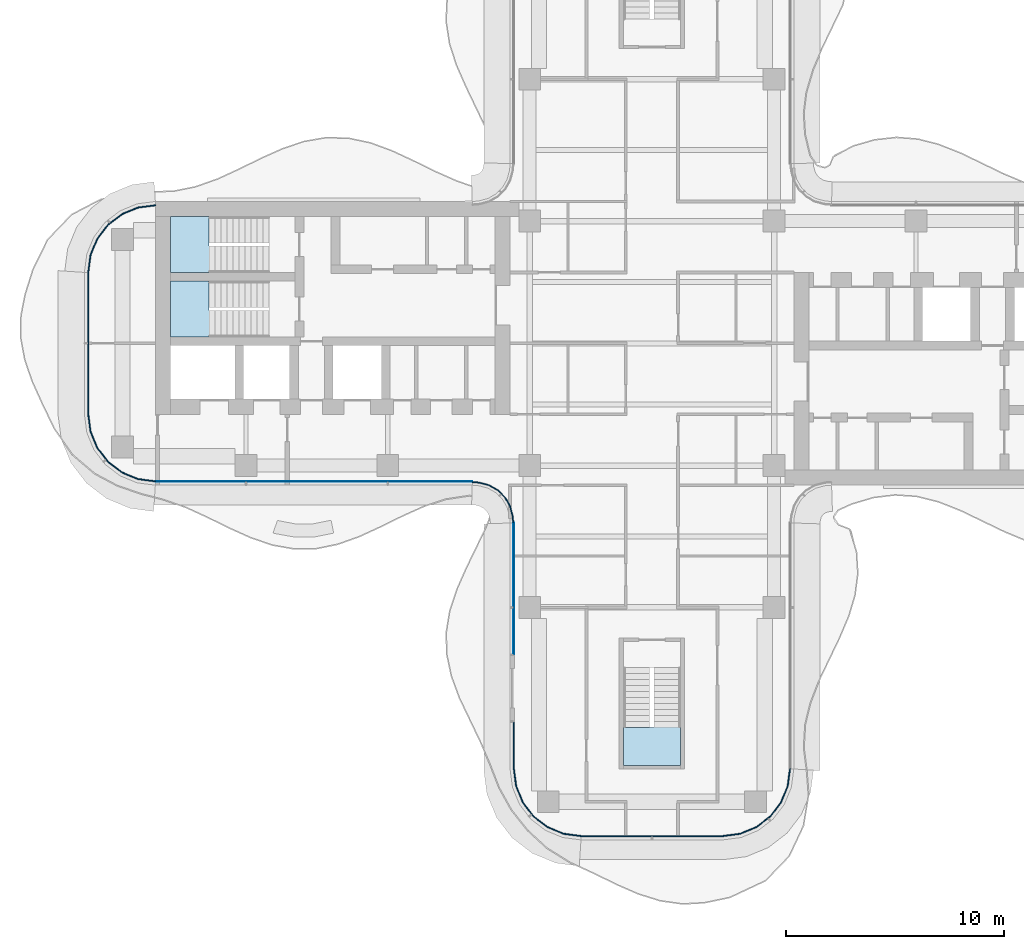
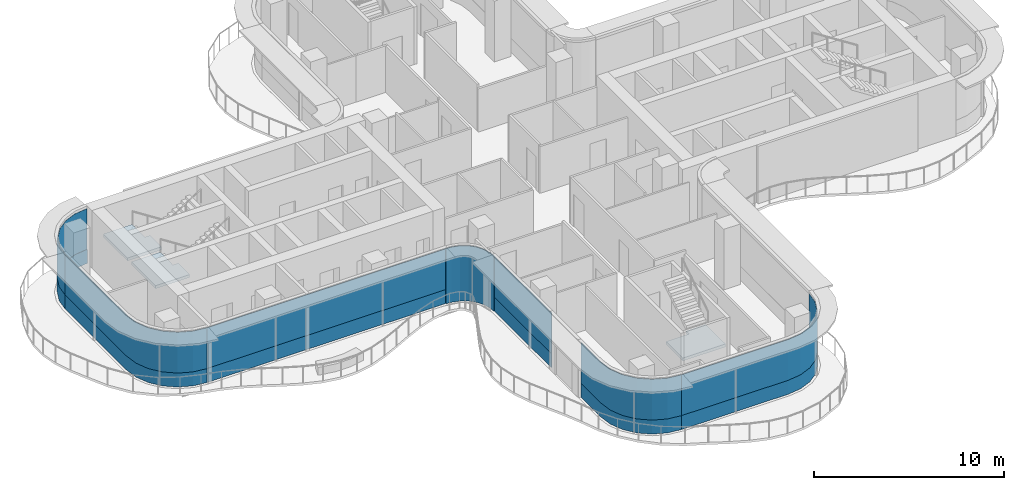
# One storey, part 8 of 16: 13 plates, 3 slabs, 10 elements without a shape of their own.
"""IFC4 building model written with IfcOpenShell, lengths in metres."""

from ifc_helpers import new_model, si_unit, direction, frame, origin, place, context, subcontext, project, spatial, polyline, outline, extrude, source, transform, mapped, material, layer, layer_set, type_object, element, aggregate, save


model = new_model("IFC4")

# Units and contexts
model_context = context("Model", 3, precision=1e-05, world=origin(), true_north=direction((0.0, 1.0)))
body_context = subcontext(model_context, "Body", "Model", "MODEL_VIEW")
ifc_project = project(units=[si_unit("LENGTHUNIT", "METRE"), si_unit("AREAUNIT", "SQUARE_METRE"), si_unit("VOLUMEUNIT", "CUBIC_METRE"), si_unit("PLANEANGLEUNIT", "RADIAN"), si_unit("MASSUNIT", "GRAM", prefix="KILO")], contexts=[model_context])

# Site, building, storey
site_placement = place(None, origin())
site = spatial("IfcSite", under=ifc_project, at=site_placement, CompositionType="ELEMENT")
building_placement = place(site_placement, origin())
building = spatial("IfcBuilding", under=site, at=building_placement, Name="Trellis Farm Tower", CompositionType="ELEMENT")
storey_placement = place(building_placement, frame((0.0, 0.0, 310.60009765625)))
storey = spatial("IfcBuildingStorey", under=building, at=storey_placement, Name="L70", CompositionType="ELEMENT", Elevation=310.60009765625)

# Stair, slab
ifc_material_1 = material(Name="Concrete C50/60", Category="concrete")
stair_type = type_object("IfcStairType", Name="CORE EXIT STAIR 22 RISERS 177 MM", PredefinedType="HALF_TURN_STAIR", material=ifc_material_1)
placement_1 = place(storey_placement, origin())
stair_1 = element("IfcStair", 1, at=placement_1, inside=storey, type_object=stair_type, Name="Exit stair S", PredefinedType="HALF_TURN_STAIR")
ifc_layer_1 = layer(ifc_material_1, 0.18994140625)
ifc_layer_set_1 = layer_set([ifc_layer_1], Name="CORE STAIR LANDING 190 CONCRETE C50/60")
slab_type = type_object("IfcSlabType", Name="CORE STAIR LANDING 190 CONCRETE C50/60", PredefinedType="LANDING", material=ifc_layer_set_1)
shared_shape_1 = source(origin(), body_context, "Body", "SweptSolid", [
    extrude(outline(polyline([(1.300048828125, -19.35009765625), (-1.300048828125, -19.35009765625), (-1.300048828125, -17.60009765625), (-1.300048828125, -17.590087890625), (-0.10009765625, -17.590087890625), (-0.10009765625, -17.60009765625), (0.10009765625, -17.60009765625), (0.10009765625, -17.27197265625), (1.300048828125, -17.27197265625), (1.300048828125, -17.60009765625), (1.300048828125, -19.35009765625)])), origin(), (0.0, 0.0, 1.0), 0.18994140625),
])
placement_2 = place(storey_placement, frame((0.0, 0.0, 1.760009765625)))
slab_1 = element("IfcSlab", 2, at=placement_2, type_object=slab_type, Name="STS landing 1", PredefinedType="LANDING", context=body_context, shape_type="MappedRepresentation", body=[
    mapped(shared_shape_1, transform((0.0, 0.0, 0.0))),
])
aggregate(stair_1, [slab_1])

stair_2 = element("IfcStair", 3, at=placement_1, inside=storey, type_object=stair_type, Name="Exit stair W1", PredefinedType="HALF_TURN_STAIR")
shared_shape_2 = source(origin(), body_context, "Body", "SweptSolid", [
    extrude(outline(polyline([(-19.971923828125, 4.449951171875), (-19.971923828125, 3.25), (-20.300048828125, 3.25), (-22.050048828125, 3.25), (-22.050048828125, 5.800048828125), (-20.300048828125, 5.800048828125), (-20.2900390625, 5.800048828125), (-20.2900390625, 4.60009765625), (-20.300048828125, 4.60009765625), (-20.300048828125, 4.449951171875), (-19.971923828125, 4.449951171875)])), origin(), (0.0, 0.0, 1.0), 0.18994140625),
])
slab_2 = element("IfcSlab", 4, at=placement_2, type_object=slab_type, Name="STW1 landing 1", PredefinedType="LANDING", context=body_context, shape_type="MappedRepresentation", body=[
    mapped(shared_shape_2, transform((0.0, 0.0, 0.0))),
])
aggregate(stair_2, [slab_2])

stair_3 = element("IfcStair", 5, at=placement_1, inside=storey, type_object=stair_type, Name="Exit stair W2", PredefinedType="HALF_TURN_STAIR")
shared_shape_3 = source(origin(), body_context, "Body", "SweptSolid", [
    extrude(outline(polyline([(-19.971923828125, 1.5), (-19.971923828125, 0.300048828125), (-20.300048828125, 0.300048828125), (-22.050048828125, 0.300048828125), (-22.050048828125, 2.85009765625), (-20.300048828125, 2.85009765625), (-20.2900390625, 2.85009765625), (-20.2900390625, 1.64990234375), (-20.300048828125, 1.64990234375), (-20.300048828125, 1.5), (-19.971923828125, 1.5)])), origin(), (0.0, 0.0, 1.0), 0.18994140625),
])
slab_3 = element("IfcSlab", 6, at=placement_2, type_object=slab_type, Name="STW2 landing 1", PredefinedType="LANDING", context=body_context, shape_type="MappedRepresentation", body=[
    mapped(shared_shape_3, transform((0.0, 0.0, 0.0))),
])
aggregate(stair_3, [slab_3])

# Curtain wall, plate
ifc_material_2 = material(Name="Aluminium and glass curtain wall", Category="aluminium")
ifc_layer_2 = layer(ifc_material_2, 0.166015625)
ifc_layer_set_2 = layer_set([ifc_layer_2], Name="WINTER GARDEN CURTAIN WALL CW3")
curtain_wall_type_1 = type_object("IfcCurtainWallType", Name="WINTER GARDEN CURTAIN WALL CW3", PredefinedType="NOTDEFINED", material=ifc_layer_set_2)
curtain_wall_1 = element("IfcCurtainWall", 7, at=placement_1, inside=storey, type_object=curtain_wall_type_1, Name="CW3 001", PredefinedType="NOTDEFINED")
ifc_material_3 = material(Name="Clear insulated glass", Category="glass")
ifc_layer_3 = layer(ifc_material_3, 0.0458984375)
ifc_layer_set_3 = layer_set([ifc_layer_3], Name="CW3 GLASS PANEL 46")
plate_type_1 = type_object("IfcPlateType", Name="CW3 GLASS PANEL 46", PredefinedType="CURTAIN_PANEL", material=ifc_layer_set_3)
shared_shape_4 = source(origin(), body_context, "Body", "SweptSolid", [
    extrude(outline(polyline([(-8.2275390625, -6.3798828125), (-8.0078125, -6.394287109375), (-7.89208984375, -6.40966796875), (-7.462158203125, -6.52490234375), (-7.070556640625, -6.7509765625), (-6.7509765625, -7.070556640625), (-6.52490234375, -7.462158203125), (-6.40966796875, -7.89208984375), (-6.394287109375, -8.0078125), (-6.3798828125, -8.2275390625), (-6.333984375, -8.22607421875), (-6.3486328125, -8.003173828125), (-6.364501953125, -7.883056640625), (-6.48193359375, -7.4443359375), (-6.714111328125, -7.04248046875), (-7.04248046875, -6.714111328125), (-7.4443359375, -6.48193359375), (-7.883056640625, -6.364501953125), (-8.003173828125, -6.3486328125), (-8.22607421875, -6.333984375), (-8.2275390625, -6.3798828125)])), origin(), (0.0, 0.0, 1.0), 3.5498046875),
])
plate_1 = element("IfcPlate", 8, at=placement_1, type_object=plate_type_1, Name="PL3 001", PredefinedType="CURTAIN_PANEL", context=body_context, shape_type="MappedRepresentation", body=[
    mapped(shared_shape_4, transform((0.0, 0.0, 0.0))),
])
aggregate(curtain_wall_1, [plate_1])

# Curtain wall, plates
ifc_layer_4 = layer(ifc_material_2, 0.18994140625)
ifc_layer_set_4 = layer_set([ifc_layer_4], Name="RIBBON CURTAIN WALL CW1")
curtain_wall_type_2 = type_object("IfcCurtainWallType", Name="RIBBON CURTAIN WALL CW1", PredefinedType="NOTDEFINED", material=ifc_layer_set_4)
curtain_wall_2 = element("IfcCurtainWall", 9, at=placement_1, inside=storey, type_object=curtain_wall_type_2, Name="CW1 004", PredefinedType="NOTDEFINED")
ifc_layer_5 = layer(ifc_material_3, 0.0400390625)
ifc_layer_set_5 = layer_set([ifc_layer_5], Name="CW1 GLASS PANEL 40")
plate_type_2 = type_object("IfcPlateType", Name="CW1 GLASS PANEL 40", PredefinedType="CURTAIN_PANEL", material=ifc_layer_set_5)
shared_shape_5 = source(origin(), body_context, "Body", "SweptSolid", [
    extrude(outline(polyline([(-3.240234375, -22.60009765625), (3.240234375, -22.60009765625), (4.052001953125, -22.4931640625), (4.79931640625, -22.18359375), (5.441162109375, -21.691162109375), (5.93359375, -21.04931640625), (6.2431640625, -20.302001953125), (6.35009765625, -19.490234375), (6.31005859375, -19.487548828125), (6.2041015625, -20.29150390625), (5.898681640625, -21.029296875), (5.41259765625, -21.66259765625), (4.779296875, -22.148681640625), (4.04150390625, -22.4541015625), (3.237548828125, -22.56005859375), (-3.237548828125, -22.56005859375), (-3.240234375, -22.60009765625)])), origin(), (0.0, 0.0, 1.0), 2.6201171875),
])
placement_3 = place(storey_placement, frame((0.0, 0.0, 0.89990234375)))
plate_2 = element("IfcPlate", 10, at=placement_3, type_object=plate_type_2, Name="PL1 004", PredefinedType="CURTAIN_PANEL", context=body_context, shape_type="MappedRepresentation", body=[
    mapped(shared_shape_5, transform((0.0, 0.0, 0.0))),
])
ifc_material_4 = material(Name="Sandstone faced insulated panel", Category="masonry")
ifc_layer_6 = layer(ifc_material_4, 0.050048828125)
ifc_layer_set_6 = layer_set([ifc_layer_6], Name="CW1 STONE SPANDREL PANEL 50")
plate_type_3 = type_object("IfcPlateType", Name="CW1 STONE SPANDREL PANEL 50", PredefinedType="CURTAIN_PANEL", material=ifc_layer_set_6)
shared_shape_6 = source(origin(), body_context, "Body", "SweptSolid", [
    extrude(outline(polyline([(-3.240234375, -22.60009765625), (3.240234375, -22.60009765625), (4.052001953125, -22.4931640625), (4.79931640625, -22.18359375), (5.441162109375, -21.691162109375), (5.93359375, -21.04931640625), (6.2431640625, -20.302001953125), (6.35009765625, -19.490234375), (6.300048828125, -19.48681640625), (6.1943359375, -20.2890625), (5.889892578125, -21.024169921875), (5.405517578125, -21.655517578125), (4.774169921875, -22.139892578125), (4.0390625, -22.4443359375), (3.23681640625, -22.550048828125), (-3.23681640625, -22.550048828125), (-3.240234375, -22.60009765625)])), origin(), (0.0, 0.0, 1.0), 0.89990234375),
])
plate_3 = element("IfcPlate", 11, at=placement_1, type_object=plate_type_3, Name="PS1 004", PredefinedType="CURTAIN_PANEL", context=body_context, shape_type="MappedRepresentation", body=[
    mapped(shared_shape_6, transform((0.0, 0.0, 0.0))),
])
aggregate(curtain_wall_2, [plate_2, plate_3])

# Curtain wall, plate
curtain_wall_3 = element("IfcCurtainWall", 12, at=placement_1, inside=storey, type_object=curtain_wall_type_2, Name="CW1 002", PredefinedType="NOTDEFINED")
shared_shape_7 = source(origin(), body_context, "Body", "SweptSolid", [
    extrude(outline(polyline([(-6.35009765625, -8.2265625), (-6.35009765625, -14.239990234375), (-6.300048828125, -14.239990234375), (-6.300048828125, -8.224853515625), (-6.35009765625, -8.2265625)])), origin(), (0.0, 0.0, 1.0), 0.89990234375),
])
plate_4 = element("IfcPlate", 13, at=placement_1, type_object=plate_type_3, Name="PS1 002", PredefinedType="CURTAIN_PANEL", context=body_context, shape_type="MappedRepresentation", body=[
    mapped(shared_shape_7, transform((0.0, 0.0, 0.0))),
])

curtain_wall_4 = element("IfcCurtainWall", 14, at=placement_1, inside=storey, type_object=curtain_wall_type_2, Name="CW1 003", PredefinedType="NOTDEFINED")
shared_shape_8 = source(origin(), body_context, "Body", "SweptSolid", [
    extrude(outline(polyline([(-6.35009765625, -17.360107421875), (-6.35009765625, -19.490234375), (-6.2431640625, -20.302001953125), (-5.93359375, -21.04931640625), (-5.441162109375, -21.691162109375), (-4.79931640625, -22.18359375), (-4.052001953125, -22.4931640625), (-3.240234375, -22.60009765625), (-3.23681640625, -22.550048828125), (-4.0390625, -22.4443359375), (-4.774169921875, -22.139892578125), (-5.405517578125, -21.655517578125), (-5.889892578125, -21.024169921875), (-6.1943359375, -20.2890625), (-6.300048828125, -19.48681640625), (-6.300048828125, -17.360107421875), (-6.35009765625, -17.360107421875)])), origin(), (0.0, 0.0, 1.0), 0.89990234375),
])
plate_5 = element("IfcPlate", 15, at=placement_1, type_object=plate_type_3, Name="PS1 003", PredefinedType="CURTAIN_PANEL", context=body_context, shape_type="MappedRepresentation", body=[
    mapped(shared_shape_8, transform((0.0, 0.0, 0.0))),
])

# Curtain wall, plates
curtain_wall_5 = element("IfcCurtainWall", 16, at=placement_1, inside=storey, type_object=curtain_wall_type_2, Name="CW1 001", PredefinedType="NOTDEFINED")
shared_shape_9 = source(origin(), body_context, "Body", "SweptSolid", [
    extrude(outline(polyline([(-22.740234375, -6.35009765625), (-8.2265625, -6.35009765625), (-8.22509765625, -6.31005859375), (-22.737548828125, -6.31005859375), (-22.740234375, -6.35009765625)])), origin(), (0.0, 0.0, 1.0), 2.6201171875),
])
plate_6 = element("IfcPlate", 17, at=placement_3, type_object=plate_type_2, Name="PL1 001", PredefinedType="CURTAIN_PANEL", context=body_context, shape_type="MappedRepresentation", body=[
    mapped(shared_shape_9, transform((0.0, 0.0, 0.0))),
])
shared_shape_10 = source(origin(), body_context, "Body", "SweptSolid", [
    extrude(outline(polyline([(-22.740234375, -6.35009765625), (-8.2265625, -6.35009765625), (-8.224853515625, -6.300048828125), (-22.73681640625, -6.300048828125), (-22.740234375, -6.35009765625)])), origin(), (0.0, 0.0, 1.0), 0.89990234375),
])
plate_7 = element("IfcPlate", 18, at=placement_1, type_object=plate_type_3, Name="PS1 001", PredefinedType="CURTAIN_PANEL", context=body_context, shape_type="MappedRepresentation", body=[
    mapped(shared_shape_10, transform((0.0, 0.0, 0.0))),
])
aggregate(curtain_wall_5, [plate_6, plate_7])

curtain_wall_6 = element("IfcCurtainWall", 19, at=placement_1, inside=storey, type_object=curtain_wall_type_2, Name="CW1 013", PredefinedType="NOTDEFINED")
shared_shape_11 = source(origin(), body_context, "Body", "SweptSolid", [
    extrude(outline(polyline([(-22.740234375, 6.35009765625), (-23.552001953125, 6.2431640625), (-24.29931640625, 5.93359375), (-24.941162109375, 5.441162109375), (-25.43359375, 4.79931640625), (-25.7431640625, 4.052001953125), (-25.85009765625, 3.240234375), (-25.81005859375, 3.237548828125), (-25.7041015625, 4.04150390625), (-25.398681640625, 4.779296875), (-24.91259765625, 5.41259765625), (-24.279296875, 5.898681640625), (-23.54150390625, 6.2041015625), (-22.737548828125, 6.31005859375), (-22.740234375, 6.35009765625)])), origin(), (0.0, 0.0, 1.0), 2.6201171875),
])
plate_8 = element("IfcPlate", 20, at=placement_3, type_object=plate_type_2, Name="PL1 013", PredefinedType="CURTAIN_PANEL", context=body_context, shape_type="MappedRepresentation", body=[
    mapped(shared_shape_11, transform((0.0, 0.0, 0.0))),
])
shared_shape_12 = source(origin(), body_context, "Body", "SweptSolid", [
    extrude(outline(polyline([(-22.740234375, 6.35009765625), (-23.552001953125, 6.2431640625), (-24.29931640625, 5.93359375), (-24.941162109375, 5.441162109375), (-25.43359375, 4.79931640625), (-25.7431640625, 4.052001953125), (-25.85009765625, 3.240234375), (-25.800048828125, 3.23681640625), (-25.6943359375, 4.0390625), (-25.389892578125, 4.774169921875), (-24.905517578125, 5.405517578125), (-24.274169921875, 5.889892578125), (-23.5390625, 6.1943359375), (-22.73681640625, 6.300048828125), (-22.740234375, 6.35009765625)])), origin(), (0.0, 0.0, 1.0), 0.89990234375),
])
plate_9 = element("IfcPlate", 21, at=placement_1, type_object=plate_type_3, Name="PS1 013", PredefinedType="CURTAIN_PANEL", context=body_context, shape_type="MappedRepresentation", body=[
    mapped(shared_shape_12, transform((0.0, 0.0, 0.0))),
])
aggregate(curtain_wall_6, [plate_8, plate_9])

curtain_wall_7 = element("IfcCurtainWall", 22, at=placement_1, inside=storey, type_object=curtain_wall_type_2, Name="CW1 014", PredefinedType="NOTDEFINED")
shared_shape_13 = source(origin(), body_context, "Body", "SweptSolid", [
    extrude(outline(polyline([(-25.85009765625, 3.240234375), (-25.85009765625, -3.240234375), (-25.7431640625, -4.052001953125), (-25.43359375, -4.79931640625), (-24.941162109375, -5.441162109375), (-24.29931640625, -5.93359375), (-23.552001953125, -6.2431640625), (-22.740234375, -6.35009765625), (-22.737548828125, -6.31005859375), (-23.54150390625, -6.2041015625), (-24.279296875, -5.898681640625), (-24.91259765625, -5.41259765625), (-25.398681640625, -4.779296875), (-25.7041015625, -4.04150390625), (-25.81005859375, -3.237548828125), (-25.81005859375, 3.237548828125), (-25.85009765625, 3.240234375)])), origin(), (0.0, 0.0, 1.0), 2.6201171875),
])
plate_10 = element("IfcPlate", 23, at=placement_3, type_object=plate_type_2, Name="PL1 014", PredefinedType="CURTAIN_PANEL", context=body_context, shape_type="MappedRepresentation", body=[
    mapped(shared_shape_13, transform((0.0, 0.0, 0.0))),
])
shared_shape_14 = source(origin(), body_context, "Body", "SweptSolid", [
    extrude(outline(polyline([(-25.85009765625, 3.240234375), (-25.85009765625, -3.240234375), (-25.7431640625, -4.052001953125), (-25.43359375, -4.79931640625), (-24.941162109375, -5.441162109375), (-24.29931640625, -5.93359375), (-23.552001953125, -6.2431640625), (-22.740234375, -6.35009765625), (-22.73681640625, -6.300048828125), (-23.5390625, -6.1943359375), (-24.274169921875, -5.889892578125), (-24.905517578125, -5.405517578125), (-25.389892578125, -4.774169921875), (-25.6943359375, -4.0390625), (-25.800048828125, -3.23681640625), (-25.800048828125, 3.23681640625), (-25.85009765625, 3.240234375)])), origin(), (0.0, 0.0, 1.0), 0.89990234375),
])
plate_11 = element("IfcPlate", 24, at=placement_1, type_object=plate_type_3, Name="PS1 014", PredefinedType="CURTAIN_PANEL", context=body_context, shape_type="MappedRepresentation", body=[
    mapped(shared_shape_14, transform((0.0, 0.0, 0.0))),
])
aggregate(curtain_wall_7, [plate_10, plate_11])

# Plate
shared_shape_15 = source(origin(), body_context, "Body", "SweptSolid", [
    extrude(outline(polyline([(-6.35009765625, -8.2265625), (-6.35009765625, -14.239990234375), (-6.31005859375, -14.239990234375), (-6.31005859375, -8.22509765625), (-6.35009765625, -8.2265625)])), origin(), (0.0, 0.0, 1.0), 2.6201171875),
])
plate_12 = element("IfcPlate", 25, at=placement_3, type_object=plate_type_2, Name="PL1 002", PredefinedType="CURTAIN_PANEL", context=body_context, shape_type="MappedRepresentation", body=[
    mapped(shared_shape_15, transform((0.0, 0.0, 0.0))),
])

aggregate(curtain_wall_3, [plate_12, plate_4])

shared_shape_16 = source(origin(), body_context, "Body", "SweptSolid", [
    extrude(outline(polyline([(-6.35009765625, -17.360107421875), (-6.35009765625, -19.490234375), (-6.2431640625, -20.302001953125), (-5.93359375, -21.04931640625), (-5.441162109375, -21.691162109375), (-4.79931640625, -22.18359375), (-4.052001953125, -22.4931640625), (-3.240234375, -22.60009765625), (-3.237548828125, -22.56005859375), (-4.04150390625, -22.4541015625), (-4.779296875, -22.148681640625), (-5.41259765625, -21.66259765625), (-5.898681640625, -21.029296875), (-6.2041015625, -20.29150390625), (-6.31005859375, -19.487548828125), (-6.31005859375, -17.360107421875), (-6.35009765625, -17.360107421875)])), origin(), (0.0, 0.0, 1.0), 2.6201171875),
])
plate_13 = element("IfcPlate", 26, at=placement_3, type_object=plate_type_2, Name="PL1 003", PredefinedType="CURTAIN_PANEL", context=body_context, shape_type="MappedRepresentation", body=[
    mapped(shared_shape_16, transform((0.0, 0.0, 0.0))),
])

aggregate(curtain_wall_4, [plate_13, plate_5])

save(model, "model.ifc")
